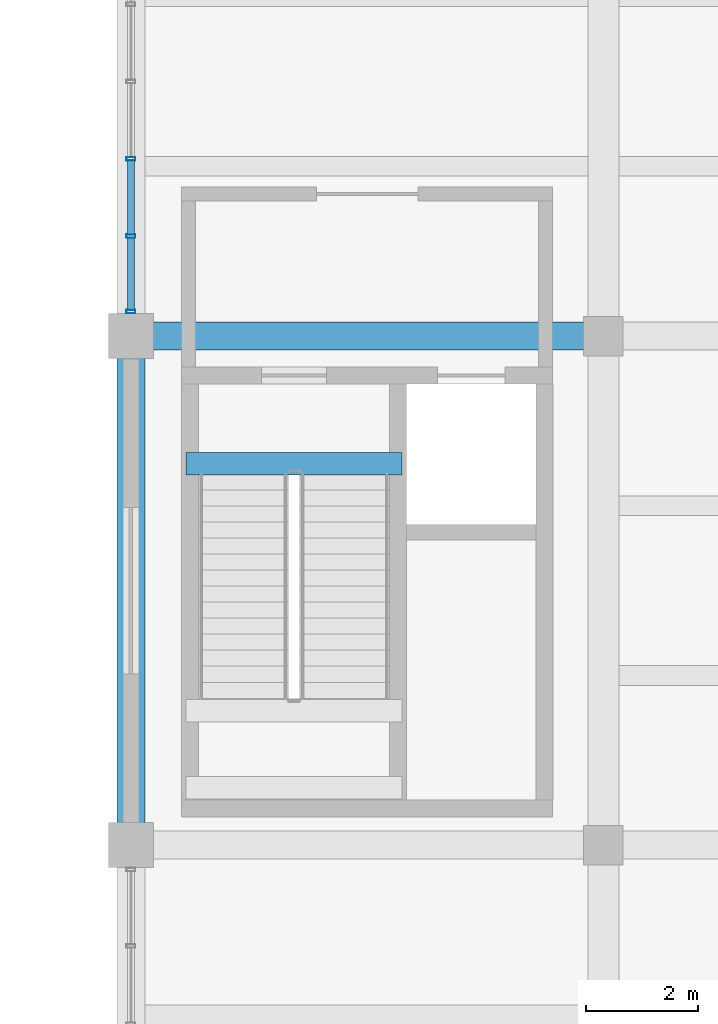
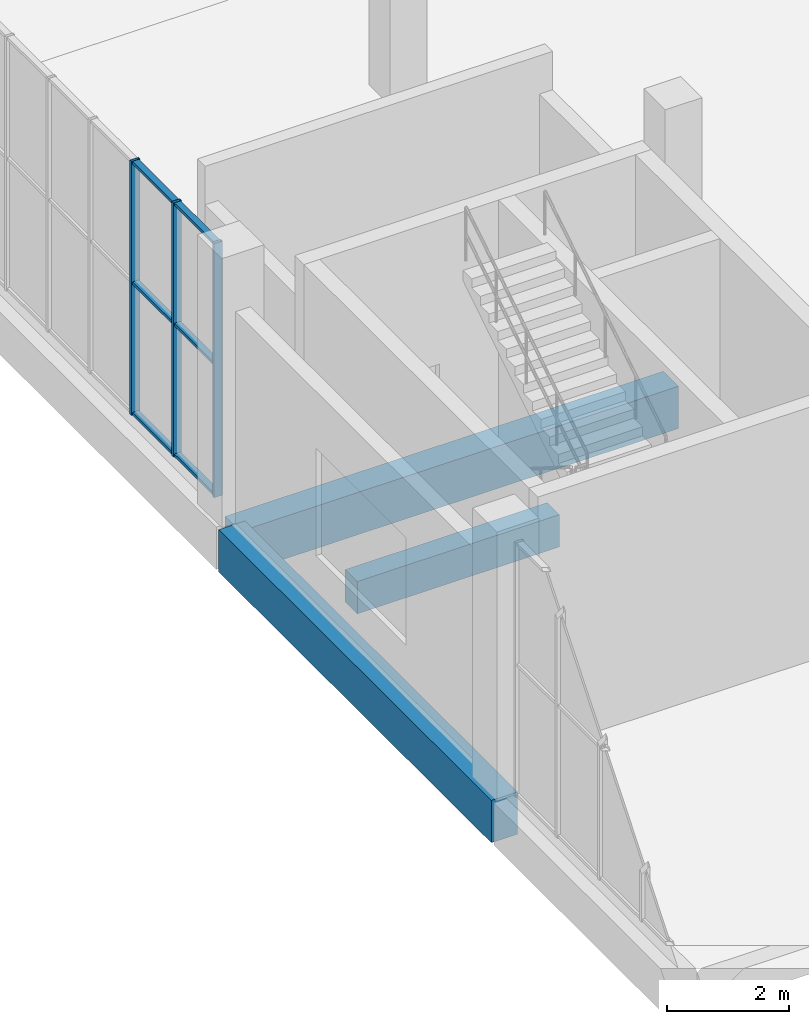
# One storey, part 3 of 132: 9 members, 3 beams, 1 element without a shape of its own.
"""IFC4 building model written with IfcOpenShell, lengths in metres."""

from ifc_helpers import new_model, si_unit, direction, frame, origin, origin_2d, place, context, subcontext, project, spatial, rectangle, hollow_rectangle, extrude, material, material_profile, profile_set, type_object, element, aggregate, save


model = new_model("IFC4")

# Units and contexts
model_context = context("Model", 3, precision=1e-05, world=origin(), true_north=direction((0.0, 1.0)))
body_context = subcontext(model_context, "Body", "Model", "MODEL_VIEW")
ifc_project = project(units=[si_unit("LENGTHUNIT", "METRE"), si_unit("AREAUNIT", "SQUARE_METRE"), si_unit("VOLUMEUNIT", "CUBIC_METRE"), si_unit("PLANEANGLEUNIT", "RADIAN"), si_unit("MASSUNIT", "GRAM", prefix="KILO")], contexts=[model_context])

# Site, building, storey
site_placement = place(None, origin())
site = spatial("IfcSite", under=ifc_project, at=site_placement, CompositionType="ELEMENT")
building_placement = place(site_placement, origin())
building = spatial("IfcBuilding", under=site, at=building_placement, Name="Khurvash Pelagic Aquarium", CompositionType="ELEMENT")
storey_placement = place(building_placement, frame((0.0, 0.0, 5.39990234375)))
storey = spatial("IfcBuildingStorey", under=building, at=storey_placement, Name="L01", CompositionType="ELEMENT", Elevation=5.39990234375)

# Beams
ifc_material_1 = material(Name="Concrete C40/50", Category="concrete")
ifc_material_profile_1 = material_profile(ifc_material_1, rectangle(XDim=0.5, YDim=0.85009765625, at=origin_2d()), Name="RC500X850")
ifc_profile_set_1 = profile_set([ifc_material_profile_1], Name="Concrete C40/50")
beam_type_1 = type_object("IfcBeamType", Name="BM-03", PredefinedType="BEAM", material=ifc_profile_set_1)
beam_1_placement = place(storey_placement, frame((25.239990234375, 20.699951171875, -0.744873046875), z_axis=(1.0, 0.0, 0.0), x_axis=(0.0, 1.0, 0.0)))
element("IfcBeam", 1, at=beam_1_placement, inside=storey, type_object=beam_type_1, Name="L01 Primary Girder BM-03 00261", PredefinedType="BEAM", context=body_context, shape_type="SweptSolid", body=[
    extrude(rectangle(XDim=0.5, YDim=0.85009765625, at=origin_2d()), origin(), (0.0, 0.0, 1.0), 8.320068359375),
])
ifc_material_2 = material(Name="Concrete C35/45", Category="concrete")
ifc_material_profile_2 = material_profile(ifc_material_2, rectangle(XDim=0.39990234375, YDim=0.64990234375, at=origin_2d()), Name="RC400X650")
ifc_profile_set_2 = profile_set([ifc_material_profile_2], Name="Concrete C35/45")
beam_type_2 = type_object("IfcBeamType", Name="BM-05", PredefinedType="BEAM", material=ifc_profile_set_2)
beam_2_placement = place(storey_placement, frame((26.179931640625, 18.429931640625, -0.635009765625), z_axis=(1.0, 0.0, 0.0), x_axis=(0.0, 1.0, 0.0)))
element("IfcBeam", 2, at=beam_2_placement, inside=storey, type_object=beam_type_2, Name="L01 Stair ST-01 Header Trimmer Beam BM-05", PredefinedType="BEAM", context=body_context, shape_type="SweptSolid", body=[
    extrude(rectangle(XDim=0.39990234375, YDim=0.64990234375, at=origin_2d()), origin(), (0.0, 0.0, 1.0), 3.840087890625),
])

# Curtain wall, members
ifc_material_3 = material(Name="Anodised aluminium and low-E laminated glass", Category="aluminium")
curtain_wall_type = type_object("IfcCurtainWallType", Name="CW-06", PredefinedType="USERDEFINED", material=ifc_material_3)
curtain_wall_placement = place(storey_placement, origin())
curtain_wall = element("IfcCurtainWall", 3, at=curtain_wall_placement, inside=storey, type_object=curtain_wall_type, Name="L01 Facade Unitised Curtain Wall CW-06 0100", ObjectType="UNITISED CURTAIN WALL", PredefinedType="USERDEFINED")
ifc_material_4 = material(Name="Extruded aluminium AW-6063-T6", Category="aluminium")
ifc_material_profile_3 = material_profile(ifc_material_4, hollow_rectangle(XDim=0.06005859375, YDim=0.159912109375, WallThickness=0.00390625, at=origin_2d()), Name="CWM60X160X4")
ifc_profile_set_3 = profile_set([ifc_material_profile_3], Name="Extruded aluminium AW-6063-T6")
member_type_1 = type_object("IfcMemberType", Name="CM-02", PredefinedType="MULLION", material=ifc_profile_set_3)
member_1_placement = place(storey_placement, frame((25.199951171875, 23.8515625, 0.0), z_axis=(0.0, 0.0, 1.0), x_axis=(0.0, -1.0, 0.0)))
member_1 = element("IfcMember", 4, at=member_1_placement, type_object=member_type_1, Name="CW-06 mullion 5", PredefinedType="MULLION", context=body_context, shape_type="SweptSolid", body=[
    extrude(hollow_rectangle(XDim=0.06005859375, YDim=0.159912109375, WallThickness=0.00390625, at=origin_2d()), origin(), (0.0, 0.0, 1.0), 5.10009765625),
])
member_2_placement = place(storey_placement, frame((25.199951171875, 22.478271484375, 0.0), z_axis=(0.0, 0.0, 1.0), x_axis=(0.0, -1.0, 0.0)))
member_2 = element("IfcMember", 5, at=member_2_placement, type_object=member_type_1, Name="CW-06 mullion 6", PredefinedType="MULLION", context=body_context, shape_type="SweptSolid", body=[
    extrude(hollow_rectangle(XDim=0.06005859375, YDim=0.159912109375, WallThickness=0.00390625, at=origin_2d()), origin(), (0.0, 0.0, 1.0), 5.10009765625),
])
member_3_placement = place(storey_placement, frame((25.199951171875, 21.135009765625, 0.0), z_axis=(0.0, 0.0, 1.0), x_axis=(0.0, -1.0, 0.0)))
member_3 = element("IfcMember", 6, at=member_3_placement, type_object=member_type_1, Name="CW-06 mullion 7", PredefinedType="MULLION", context=body_context, shape_type="SweptSolid", body=[
    extrude(hollow_rectangle(XDim=0.06005859375, YDim=0.159912109375, WallThickness=0.00390625, at=origin_2d()), origin(), (0.0, 0.0, 1.0), 5.10009765625),
])
ifc_material_profile_4 = material_profile(ifc_material_4, hollow_rectangle(XDim=0.1201171875, YDim=0.06005859375, WallThickness=0.00390625, at=origin_2d()), Name="CWT120X60X4")
ifc_profile_set_4 = profile_set([ifc_material_profile_4], Name="Extruded aluminium AW-6063-T6")
member_type_2 = type_object("IfcMemberType", Name="CT-02", PredefinedType="USERDEFINED", material=ifc_profile_set_4)
member_4_placement = place(storey_placement, frame((25.199951171875, 23.82177734375, 0.030029296875), z_axis=(0.0, -1.0, 0.0), x_axis=(1.0, 0.0, 0.0)))
member_4 = element("IfcMember", 7, at=member_4_placement, type_object=member_type_2, Name="CW-06 transom 5.1", ObjectType="TRANSOM", PredefinedType="USERDEFINED", context=body_context, shape_type="SweptSolid", body=[
    extrude(hollow_rectangle(XDim=0.1201171875, YDim=0.06005859375, WallThickness=0.00390625, at=origin_2d()), origin(), (0.0, 0.0, 1.0), 1.3134765625),
])
member_5_placement = place(storey_placement, frame((25.199951171875, 23.82177734375, 2.652099609375), z_axis=(0.0, -1.0, 0.0), x_axis=(1.0, 0.0, 0.0)))
member_5 = element("IfcMember", 8, at=member_5_placement, type_object=member_type_2, Name="CW-06 transom 5.2", ObjectType="TRANSOM", PredefinedType="USERDEFINED", context=body_context, shape_type="SweptSolid", body=[
    extrude(hollow_rectangle(XDim=0.1201171875, YDim=0.06005859375, WallThickness=0.00390625, at=origin_2d()), origin(), (0.0, 0.0, 1.0), 1.3134765625),
])
member_6_placement = place(storey_placement, frame((25.199951171875, 23.82177734375, 5.070068359375), z_axis=(0.0, -1.0, 0.0), x_axis=(1.0, 0.0, 0.0)))
member_6 = element("IfcMember", 9, at=member_6_placement, type_object=member_type_2, Name="CW-06 transom 5.3", ObjectType="TRANSOM", PredefinedType="USERDEFINED", context=body_context, shape_type="SweptSolid", body=[
    extrude(hollow_rectangle(XDim=0.1201171875, YDim=0.06005859375, WallThickness=0.00390625, at=origin_2d()), origin(), (0.0, 0.0, 1.0), 1.3134765625),
])
member_7_placement = place(storey_placement, frame((25.199951171875, 22.4482421875, 0.030029296875), z_axis=(0.0, -1.0, 0.0), x_axis=(1.0, 0.0, 0.0)))
member_7 = element("IfcMember", 10, at=member_7_placement, type_object=member_type_2, Name="CW-06 transom 6.1", ObjectType="TRANSOM", PredefinedType="USERDEFINED", context=body_context, shape_type="SweptSolid", body=[
    extrude(hollow_rectangle(XDim=0.1201171875, YDim=0.06005859375, WallThickness=0.00390625, at=origin_2d()), origin(), (0.0, 0.0, 1.0), 1.283203125),
])
member_8_placement = place(storey_placement, frame((25.199951171875, 22.4482421875, 2.652099609375), z_axis=(0.0, -1.0, 0.0), x_axis=(1.0, 0.0, 0.0)))
member_8 = element("IfcMember", 11, at=member_8_placement, type_object=member_type_2, Name="CW-06 transom 6.2", ObjectType="TRANSOM", PredefinedType="USERDEFINED", context=body_context, shape_type="SweptSolid", body=[
    extrude(hollow_rectangle(XDim=0.1201171875, YDim=0.06005859375, WallThickness=0.00390625, at=origin_2d()), origin(), (0.0, 0.0, 1.0), 1.283203125),
])
member_9_placement = place(storey_placement, frame((25.199951171875, 22.4482421875, 5.070068359375), z_axis=(0.0, -1.0, 0.0), x_axis=(1.0, 0.0, 0.0)))
member_9 = element("IfcMember", 12, at=member_9_placement, type_object=member_type_2, Name="CW-06 transom 6.3", ObjectType="TRANSOM", PredefinedType="USERDEFINED", context=body_context, shape_type="SweptSolid", body=[
    extrude(hollow_rectangle(XDim=0.1201171875, YDim=0.06005859375, WallThickness=0.00390625, at=origin_2d()), origin(), (0.0, 0.0, 1.0), 1.283203125),
])
aggregate(curtain_wall, [member_1, member_2, member_3, member_4, member_5, member_6, member_7, member_8, member_9])

# Beam
ifc_material_profile_5 = material_profile(ifc_material_1, rectangle(XDim=0.5, YDim=0.85009765625, at=origin_2d()), Name="RC500X850")
ifc_profile_set_5 = profile_set([ifc_material_profile_5], Name="Concrete C40/50")
beam_type_3 = type_object("IfcBeamType", Name="SEB-03", PredefinedType="SPANDREL", material=ifc_profile_set_5)
beam_3_placement = place(storey_placement, frame((25.199951171875, 11.68994140625, -0.73486328125), z_axis=(0.0, 1.0, 0.0), x_axis=(-1.0, 0.0, 0.0)))
element("IfcBeam", 13, at=beam_3_placement, inside=storey, type_object=beam_type_3, Name="L01 Primary Girder SEB-03 00360", PredefinedType="SPANDREL", context=body_context, shape_type="SweptSolid", body=[
    extrude(rectangle(XDim=0.5, YDim=0.85009765625, at=origin_2d()), origin(), (0.0, 0.0, 1.0), 8.969970703125),
])

save(model, "model.ifc")
